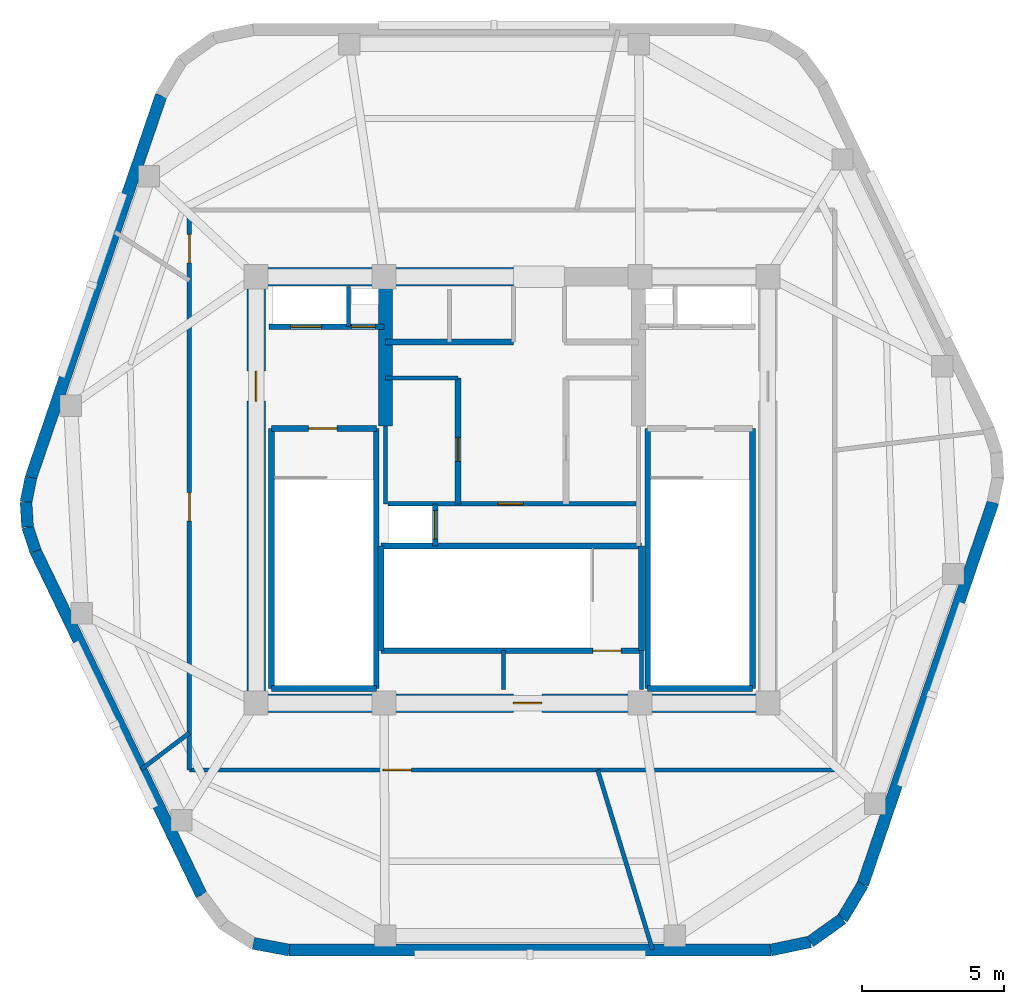
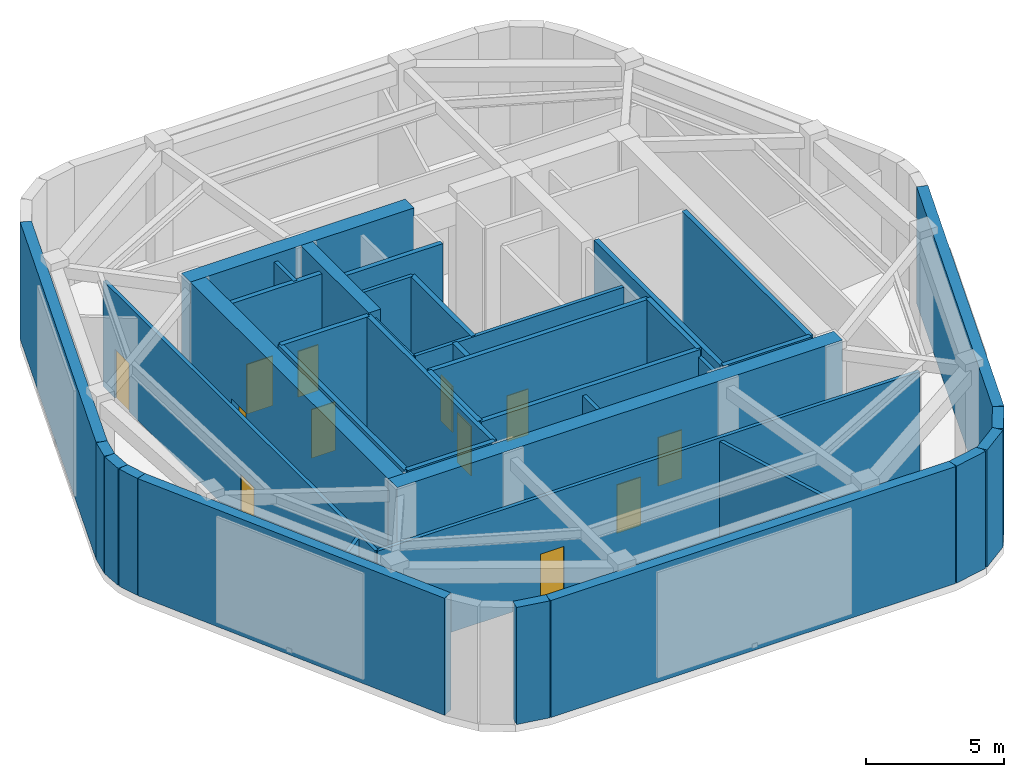
# One storey, part 2 of 4: 40 walls, 12 doors, 12 openings.
"""IFC4 building model written with IfcOpenShell, lengths in metres."""

from ifc_helpers import new_model, si_unit, direction, frame, frame_2d, origin, place, context, subcontext, project, spatial, rectangle, extrude, material, layer, layer_set, type_object, element, fill, save


model = new_model("IFC4")

# Units and contexts
model_context = context("Model", 3, precision=1e-05, world=origin(), true_north=direction((0.0, 1.0)))
body_context = subcontext(model_context, "Body", "Model", "MODEL_VIEW")
ifc_project = project(units=[si_unit("LENGTHUNIT", "METRE"), si_unit("AREAUNIT", "SQUARE_METRE"), si_unit("VOLUMEUNIT", "CUBIC_METRE"), si_unit("PLANEANGLEUNIT", "RADIAN"), si_unit("MASSUNIT", "GRAM", prefix="KILO")], contexts=[model_context])

# Site, building, storey
site_placement = place(None, origin())
site = spatial("IfcSite", under=ifc_project, at=site_placement, CompositionType="ELEMENT")
building_placement = place(site_placement, origin())
building = spatial("IfcBuilding", under=site, at=building_placement, Name="Kilnhurst Terrace Hotel", CompositionType="ELEMENT")
storey_placement = place(building_placement, frame((0.0, 0.0, 315.89990234375)))
storey = spatial("IfcBuildingStorey", under=building, at=storey_placement, Name="L78", CompositionType="ELEMENT", Elevation=315.89990234375)

# Wall, openings, doors
ifc_material_1 = material(Name="Acoustic Double-Gypsum Corridor Partition Assembly")
ifc_layer_1 = layer(ifc_material_1, 0.14990234375, Name="Acoustic Double-Gypsum Corridor Partition Assembly")
ifc_layer_set_1 = layer_set([ifc_layer_1], Name="Acoustic Double-Gypsum Corridor Partition Assembly")
wall_type_1 = type_object("IfcWallType", Name="WL-COR-150", PredefinedType="PARTITIONING", material=ifc_layer_set_1)
wall_1_placement = place(storey_placement, frame((-11.35009765625, -9.85009765625, 0.0), z_axis=(0.0, 0.0, 1.0), x_axis=(0.0, 1.0, 0.0)))
wall_1 = element("IfcWall", 1, at=wall_1_placement, inside=storey, type_object=wall_type_1, Name="L78 Interior Wall WL-L78-COR-01", PredefinedType="PARTITIONING", context=body_context, shape_type="SweptSolid", body=[
    extrude(rectangle(XDim=19.7001953125, YDim=0.14990234375, at=frame_2d((9.85009765625, 0.0))), origin(), (0.0, 0.0, 1.0), 4.670166015625),
])
opening_1_placement = place(wall_1_placement, frame((17.840087890625, 0.0, 0.0)))
opening_1 = element("IfcOpeningElement", 2, at=opening_1_placement, cuts=wall_1, Name="Opening D-90B", PredefinedType="OPENING", context=body_context, shape_type="SweptSolid", body=[
    extrude(rectangle(XDim=1.0, YDim=2.14990234375, at=frame_2d((0.5, 1.074951171875))), frame((0.0, 0.0849609375, 0.0), z_axis=(0.0, -1.0, 0.0), x_axis=(1.0, 0.0, 0.0)), (0.0, 0.0, 1.0), 0.169921875),
])
opening_2_placement = place(wall_1_placement, frame((8.751953125, 0.0, 0.0)))
opening_2 = element("IfcOpeningElement", 3, at=opening_2_placement, cuts=wall_1, Name="Opening D-90B", PredefinedType="OPENING", context=body_context, shape_type="SweptSolid", body=[
    extrude(rectangle(XDim=1.0, YDim=2.14990234375, at=frame_2d((0.5, 1.074951171875))), frame((0.0, 0.0849609375, 0.0), z_axis=(0.0, -1.0, 0.0), x_axis=(1.0, 0.0, 0.0)), (0.0, 0.0, 1.0), 0.169921875),
])
ifc_material_2 = material(Name="Painted Hollow Metal Steel ASTM A36 Fire Door", Category="steel")
door_type_1 = type_object("IfcDoorType", Name="DR-FD90-1000", OperationType="NOTDEFINED", PredefinedType="DOOR", material=ifc_material_2)
door_1_placement = place(opening_1_placement, origin())
door_1 = element("IfcDoor", 4, at=door_1_placement, inside=storey, type_object=door_type_1, Name="L78 Air Handling and Smoke Control Mechanical Room Door", OperationType="SINGLE_SWING_RIGHT", OverallHeight=2.14990234375, OverallWidth=1.0, PredefinedType="DOOR", context=body_context, shape_type="SweptSolid", body=[
    extrude(rectangle(XDim=1.0, YDim=2.14990234375, at=frame_2d((0.5, 1.074951171875))), frame((0.0, 0.02490234375, 0.0), z_axis=(0.0, -1.0, 0.0), x_axis=(1.0, 0.0, 0.0)), (0.0, 0.0, 1.0), 0.050048828125),
])
fill(opening_1, door_1)
door_2_placement = place(opening_2_placement, origin())
door_2 = element("IfcDoor", 5, at=door_2_placement, inside=storey, type_object=door_type_1, Name="L78 Domestic Water Booster and Fire Pump Room Door", OperationType="SINGLE_SWING_LEFT", OverallHeight=2.14990234375, OverallWidth=1.0, PredefinedType="DOOR", context=body_context, shape_type="SweptSolid", body=[
    extrude(rectangle(XDim=1.0, YDim=2.14990234375, at=frame_2d((0.5, 1.074951171875))), frame((0.0, 0.02490234375, 0.0), z_axis=(0.0, -1.0, 0.0), x_axis=(1.0, 0.0, 0.0)), (0.0, 0.0, 1.0), 0.050048828125),
])
fill(opening_2, door_2)

# Wall, opening, door
wall_2_placement = place(storey_placement, frame((11.35009765625, -9.85009765625, 0.0), z_axis=(0.0, 0.0, 1.0), x_axis=(-1.0, 0.0, 0.0)))
wall_2 = element("IfcWall", 6, at=wall_2_placement, inside=storey, type_object=wall_type_1, Name="L78 Interior Wall WL-L78-COR-04", PredefinedType="PARTITIONING", context=body_context, shape_type="SweptSolid", body=[
    extrude(rectangle(XDim=22.7001953125, YDim=0.14990234375, at=frame_2d((11.35009765625, 0.0))), origin(), (0.0, 0.0, 1.0), 4.670166015625),
])
opening_3_placement = place(wall_2_placement, frame((14.89404296875, 0.0, 0.0)))
opening_3 = element("IfcOpeningElement", 7, at=opening_3_placement, cuts=wall_2, Name="Opening D-90B", PredefinedType="OPENING", context=body_context, shape_type="SweptSolid", body=[
    extrude(rectangle(XDim=1.0, YDim=2.14990234375, at=frame_2d((0.5, 1.074951171875))), frame((0.0, 0.0849609375, 0.0), z_axis=(0.0, -1.0, 0.0), x_axis=(1.0, 0.0, 0.0)), (0.0, 0.0, 1.0), 0.169921875),
])
door_3_placement = place(opening_3_placement, origin())
door_3 = element("IfcDoor", 8, at=door_3_placement, inside=storey, type_object=door_type_1, Name="L78 High Rise Electrical Switchgear and Transformer Room Door", OperationType="SINGLE_SWING_RIGHT", OverallHeight=2.14990234375, OverallWidth=1.0, PredefinedType="DOOR", context=body_context, shape_type="SweptSolid", body=[
    extrude(rectangle(XDim=1.0, YDim=2.14990234375, at=frame_2d((0.5, 1.074951171875))), frame((0.0, 0.02490234375, 0.0), z_axis=(0.0, -1.0, 0.0), x_axis=(1.0, 0.0, 0.0)), (0.0, 0.0, 1.0), 0.050048828125),
])
fill(opening_3, door_3)

# Walls
wall_3_placement = place(storey_placement, frame((-11.35009765625, -8.552734375, 0.0), z_axis=(0.0, 0.0, 1.0), x_axis=(-0.798587297605, -0.601878997892, 0.0)))
element("IfcWall", 9, at=wall_3_placement, inside=storey, type_object=wall_type_1, Name="L78 Interior Wall WL-L78-PDIV-4-1", PredefinedType="PARTITIONING", context=body_context, shape_type="SweptSolid", body=[
    extrude(rectangle(XDim=2.11865234375, YDim=0.14990234375, at=frame_2d((1.059326171875, 0.0))), origin(), (0.0, 0.0, 1.0), 4.52001953125),
])
wall_4_placement = place(storey_placement, frame((3.011474609375, -9.85009765625, 0.0), z_axis=(0.0, 0.0, 1.0), x_axis=(0.292386397132, -0.956300263919, 0.0)))
element("IfcWall", 10, at=wall_4_placement, inside=storey, type_object=wall_type_1, Name="L78 Interior Wall WL-L78-PDIV-5-1", PredefinedType="PARTITIONING", context=body_context, shape_type="SweptSolid", body=[
    extrude(rectangle(XDim=6.614013671875, YDim=0.14990234375, at=frame_2d((3.30712890625, 0.0))), origin(), (0.0, 0.0, 1.0), 4.52001953125),
])

# Wall, opening, door
ifc_material_3 = material(Name="Concrete C60/75", Category="concrete")
ifc_layer_2 = layer(ifc_material_3, 0.64990234375, Name="Concrete C60/75")
ifc_layer_set_2 = layer_set([ifc_layer_2], Name="Concrete C60/75")
wall_type_2 = type_object("IfcWallType", Name="WL-CORE-650", PredefinedType="SHEAR", material=ifc_layer_set_2)
wall_5_placement = place(storey_placement, frame((-9.324951171875, -7.5, 0.0), z_axis=(0.0, 0.0, 1.0), x_axis=(1.0, 0.0, 0.0)))
wall_5 = element("IfcWall", 11, at=wall_5_placement, inside=storey, type_object=wall_type_2, Name="L78 Core South Shear Wall", PredefinedType="SHEAR", context=body_context, shape_type="SweptSolid", body=[
    extrude(rectangle(XDim=18.64990234375, YDim=0.64990234375, at=frame_2d((9.324951171875, 0.0))), origin(), (0.0, 0.0, 1.0), 5.5),
])
opening_4_placement = place(wall_5_placement, frame((9.375, 0.0, 0.0)))
opening_4 = element("IfcOpeningElement", 12, at=opening_4_placement, cuts=wall_5, Name="Opening D-90B", PredefinedType="OPENING", context=body_context, shape_type="SweptSolid", body=[
    extrude(rectangle(XDim=1.0, YDim=2.14990234375, at=frame_2d((0.5, 1.074951171875))), frame((0.0, 0.3349609375, 0.0), z_axis=(0.0, -1.0, 0.0), x_axis=(1.0, 0.0, 0.0)), (0.0, 0.0, 1.0), 0.669921875),
])
door_4_placement = place(opening_4_placement, origin())
door_4 = element("IfcDoor", 13, at=door_4_placement, inside=storey, type_object=door_type_1, Name="L78 Stair ST-3 Corridor Door", OperationType="SINGLE_SWING_RIGHT", OverallHeight=2.14990234375, OverallWidth=1.0, PredefinedType="DOOR", context=body_context, shape_type="SweptSolid", body=[
    extrude(rectangle(XDim=1.0, YDim=2.14990234375, at=frame_2d((0.5, 1.074951171875))), frame((0.0, 0.02490234375, 0.0), z_axis=(0.0, -1.0, 0.0), x_axis=(1.0, 0.0, 0.0)), (0.0, 0.0, 1.0), 0.050048828125),
])
fill(opening_4, door_4)

# Wall
wall_6_placement = place(storey_placement, frame((-9.324951171875, 7.5, 0.0), z_axis=(0.0, 0.0, 1.0), x_axis=(1.0, 0.0, 0.0)))
element("IfcWall", 14, at=wall_6_placement, inside=storey, type_object=wall_type_2, Name="L78 Core North West Shear Wall", PredefinedType="SHEAR", context=body_context, shape_type="SweptSolid", body=[
    extrude(rectangle(XDim=9.375, YDim=0.64990234375, at=frame_2d((4.6875, 0.0))), origin(), (0.0, 0.0, 1.0), 5.5),
])

# Wall, opening, door
wall_7_placement = place(storey_placement, frame((-9.0, -7.175048828125, 0.0), z_axis=(0.0, 0.0, 1.0), x_axis=(0.0, 1.0, 0.0)))
wall_7 = element("IfcWall", 15, at=wall_7_placement, inside=storey, type_object=wall_type_2, Name="L78 Core West Shear Wall", PredefinedType="SHEAR", context=body_context, shape_type="SweptSolid", body=[
    extrude(rectangle(XDim=14.35009765625, YDim=0.64990234375, at=frame_2d((7.175048828125, 0.0))), origin(), (0.0, 0.0, 1.0), 5.5),
])
opening_5_placement = place(wall_7_placement, frame((10.300048828125, 0.0, 0.0)))
opening_5 = element("IfcOpeningElement", 16, at=opening_5_placement, cuts=wall_7, Name="Opening D-90A", PredefinedType="OPENING", context=body_context, shape_type="SweptSolid", body=[
    extrude(rectangle(XDim=1.050048828125, YDim=2.14990234375, at=frame_2d((0.52490234375, 1.074951171875))), frame((0.0, 0.3349609375, 0.0), z_axis=(0.0, -1.0, 0.0), x_axis=(1.0, 0.0, 0.0)), (0.0, 0.0, 1.0), 0.669921875),
])
door_type_2 = type_object("IfcDoorType", Name="DR-FD90-1050", OperationType="NOTDEFINED", PredefinedType="DOOR", material=ifc_material_2)
door_5_placement = place(opening_5_placement, origin())
door_5 = element("IfcDoor", 17, at=door_5_placement, inside=storey, type_object=door_type_2, Name="L78 West Firefighting Lobby Door", OperationType="SINGLE_SWING_RIGHT", OverallHeight=2.14990234375, OverallWidth=1.050048828125, PredefinedType="DOOR", context=body_context, shape_type="SweptSolid", body=[
    extrude(rectangle(XDim=1.050048828125, YDim=2.14990234375, at=frame_2d((0.52490234375, 1.074951171875))), frame((0.0, 0.02490234375, 0.0), z_axis=(0.0, -1.0, 0.0), x_axis=(1.0, 0.0, 0.0)), (0.0, 0.0, 1.0), 0.050048828125),
])
fill(opening_5, door_5)

# Walls
ifc_layer_3 = layer(ifc_material_3, 0.5, Name="Concrete C60/75")
ifc_layer_set_3 = layer_set([ifc_layer_3], Name="Concrete C60/75")
wall_type_3 = type_object("IfcWallType", Name="WL-CORE-WEB-500", PredefinedType="SHEAR", material=ifc_layer_set_3)
wall_8_placement = place(storey_placement, frame((-4.449951171875, 2.25, 0.0), z_axis=(0.0, 0.0, 1.0), x_axis=(0.0, 1.0, 0.0)))
element("IfcWall", 18, at=wall_8_placement, inside=storey, type_object=wall_type_3, Name="L78 Core Internal West Shear Web", PredefinedType="SHEAR", context=body_context, shape_type="SweptSolid", body=[
    extrude(rectangle(XDim=4.925048828125, YDim=0.5, at=frame_2d((2.46240234375, 0.0))), origin(), (0.0, 0.0, 1.0), 5.5),
])
ifc_material_4 = material(Name="Precast concrete C40/50", Category="concrete")
ifc_layer_4 = layer(ifc_material_4, 0.419921875, Name="Precast concrete C40/50")
ifc_layer_set_4 = layer_set([ifc_layer_4], Name="Precast concrete C40/50")
wall_type_4 = type_object("IfcWallType", Name="WL-CRN-420", PredefinedType="SOLIDWALL", material=ifc_layer_set_4)
wall_9_placement = place(storey_placement, frame((-9.096435546875, -15.952392578125, 0.0), z_axis=(0.0, 0.0, 1.0), x_axis=(0.982583442004, -0.185821902637, 0.0)))
element("IfcWall", 19, at=wall_9_placement, inside=storey, type_object=wall_type_4, Name="L78 Rounded Corner Brick Wall C1.3", PredefinedType="SOLIDWALL", context=body_context, shape_type="SweptSolid", body=[
    extrude(rectangle(XDim=1.2783203125, YDim=0.419921875, at=frame_2d((0.63916015625, 0.0))), origin(), (0.0, 0.0, 1.0), 5.18017578125),
])
wall_10_placement = place(storey_placement, frame((9.105712890625, -16.18994140625, 0.0), z_axis=(0.0, 0.0, 1.0), x_axis=(0.978670507127, 0.205436215114, 0.0)))
element("IfcWall", 20, at=wall_10_placement, inside=storey, type_object=wall_type_4, Name="L78 Rounded Corner Brick Wall C2.1", PredefinedType="SOLIDWALL", context=body_context, shape_type="SweptSolid", body=[
    extrude(rectangle(XDim=1.414306640625, YDim=0.419921875, at=frame_2d((0.70703125, 0.0))), origin(), (0.0, 0.0, 1.0), 5.18017578125),
])
wall_11_placement = place(storey_placement, frame((10.48974609375, -15.8994140625, 0.0), z_axis=(0.0, 0.0, 1.0), x_axis=(0.813104912719, 0.58211717112, 0.0)))
element("IfcWall", 21, at=wall_11_placement, inside=storey, type_object=wall_type_4, Name="L78 Rounded Corner Brick Wall C2.2", PredefinedType="SOLIDWALL", context=body_context, shape_type="SweptSolid", body=[
    extrude(rectangle(XDim=1.39208984375, YDim=0.419921875, at=frame_2d((0.696044921875, 0.0))), origin(), (0.0, 0.0, 1.0), 5.18017578125),
])
wall_12_placement = place(storey_placement, frame((11.62158203125, -15.089111328125, 0.0), z_axis=(0.0, 0.0, 1.0), x_axis=(0.510403153597, 0.859935242212, 0.0)))
element("IfcWall", 22, at=wall_12_placement, inside=storey, type_object=wall_type_4, Name="L78 Rounded Corner Brick Wall C2.3", PredefinedType="SOLIDWALL", context=body_context, shape_type="SweptSolid", body=[
    extrude(rectangle(XDim=1.414306640625, YDim=0.419921875, at=frame_2d((0.70703125, 0.0))), origin(), (0.0, 0.0, 1.0), 5.18017578125),
])
wall_13_placement = place(storey_placement, frame((-16.9208984375, 0.440185546875, 0.0), z_axis=(0.0, 0.0, 1.0), x_axis=(-0.197170749138, -0.980369162961, 0.0)))
element("IfcWall", 23, at=wall_13_placement, inside=storey, type_object=wall_type_4, Name="L78 Rounded Corner Brick Wall C6.1", PredefinedType="SOLIDWALL", context=body_context, shape_type="SweptSolid", body=[
    extrude(rectangle(XDim=0.890380859375, YDim=0.419921875, at=frame_2d((0.4453125, 0.0))), origin(), (0.0, 0.0, 1.0), 5.18017578125),
])
wall_14_placement = place(storey_placement, frame((-17.096435546875, -0.4326171875, 0.0), z_axis=(0.0, 0.0, 1.0), x_axis=(0.060469820114, -0.998170026025, 0.0)))
element("IfcWall", 24, at=wall_14_placement, inside=storey, type_object=wall_type_4, Name="L78 Rounded Corner Brick Wall C6.2", PredefinedType="SOLIDWALL", context=body_context, shape_type="SweptSolid", body=[
    extrude(rectangle(XDim=0.876220703125, YDim=0.419921875, at=frame_2d((0.43798828125, 0.0))), origin(), (0.0, 0.0, 1.0), 5.18017578125),
])
wall_15_placement = place(storey_placement, frame((-17.04345703125, -1.30712890625, 0.0), z_axis=(0.0, 0.0, 1.0), x_axis=(0.314581701602, -0.949230400386, 0.0)))
element("IfcWall", 25, at=wall_15_placement, inside=storey, type_object=wall_type_4, Name="L78 Rounded Corner Brick Wall C6.3", PredefinedType="SOLIDWALL", context=body_context, shape_type="SweptSolid", body=[
    extrude(rectangle(XDim=0.89013671875, YDim=0.419921875, at=frame_2d((0.445068359375, 0.0))), origin(), (0.0, 0.0, 1.0), 5.18017578125),
])
wall_16_placement = place(storey_placement, frame((-7.84033203125, -16.18994140625, 0.0), z_axis=(0.0, 0.0, 1.0), x_axis=(1.0, 0.0, 0.0)))
element("IfcWall", 26, at=wall_16_placement, inside=storey, type_object=wall_type_4, Name="L78 Exterior Brick Facade Wall F1", PredefinedType="SOLIDWALL", context=body_context, shape_type="SweptSolid", body=[
    extrude(rectangle(XDim=16.946044921875, YDim=0.419921875, at=frame_2d((8.47314453125, 0.0))), origin(), (0.0, 0.0, 1.0), 5.18017578125),
])
for number, where, z_axis, x_axis, name in (
    (27, (12.343505859375, -13.872802734375, 0.0), (0.0, 0.0, 1.0), (0.322553427155, 0.946551259378, 0.0), "L78 Exterior Brick Facade Wall F2"),
    (28, (-12.343505859375, 13.872802734375, 0.0), (0.0, 0.0, 1.0), (-0.322553427155, -0.946551259378, 0.0), "L78 Exterior Brick Facade Wall F5"),
):
    element("IfcWall", number, at=place(storey_placement, frame(where, z_axis=z_axis, x_axis=x_axis)), inside=storey, type_object=wall_type_4, Name=name, PredefinedType="SOLIDWALL", context=body_context, shape_type="SweptSolid", body=[
        extrude(rectangle(XDim=14.191162109375, YDim=0.419921875, at=frame_2d((7.095703125, 0.0))), origin(), (0.0, 0.0, 1.0), 5.18017578125),
    ])
wall_17_placement = place(storey_placement, frame((-16.763427734375, -2.152099609375, 0.0), z_axis=(0.0, 0.0, 1.0), x_axis=(0.434664735238, -0.900592342817, 0.0)))
element("IfcWall", 29, at=wall_17_placement, inside=storey, type_object=wall_type_4, Name="L78 Exterior Brick Facade Wall F6", PredefinedType="SOLIDWALL", context=body_context, shape_type="SweptSolid", body=[
    extrude(rectangle(XDim=13.439697265625, YDim=0.419921875, at=frame_2d((6.7197265625, 0.0))), origin(), (0.0, 0.0, 1.0), 5.18017578125),
])
ifc_material_5 = material(Name="Fire-Rated Gypsum Shaftliner Assembly")
ifc_layer_5 = layer(ifc_material_5, 0.14990234375, Name="Fire-Rated Gypsum Shaftliner Assembly")
ifc_layer_set_5 = layer_set([ifc_layer_5], Name="Fire-Rated Gypsum Shaftliner Assembly")
wall_type_5 = type_object("IfcWallType", Name="WL-SHAFT-150", PredefinedType="PARTITIONING", material=ifc_layer_set_5)
for number, where, z_axis, x_axis, name in (
    (30, (-0.300048828125, -7.02001953125, 0.0), (0.0, 0.0, 1.0), (0.0, 1.0, 0.0), "L78 Interior Wall WL-L78-ST3-PSGW"),
    (31, (4.55810546875, -7.02001953125, 0.0), (0.0, 0.0, 1.0), (0.0, 1.0, 0.0), "L78 Interior Wall WL-L78-ST3-PSGE"),
):
    element("IfcWall", number, at=place(storey_placement, frame(where, z_axis=z_axis, x_axis=x_axis)), inside=storey, type_object=wall_type_5, Name=name, PredefinedType="PARTITIONING", context=body_context, shape_type="SweptSolid", body=[
        extrude(rectangle(XDim=1.362060546875, YDim=0.14990234375, at=frame_2d((0.68115234375, 0.0))), origin(), (0.0, 0.0, 1.0), 5.18017578125),
    ])
wall_18_placement = place(storey_placement, frame((-5.75, 5.739990234375, 0.0), z_axis=(0.0, 0.0, 1.0), x_axis=(0.0, 1.0, 0.0)))
element("IfcWall", 32, at=wall_18_placement, inside=storey, type_object=wall_type_5, Name="L78 Interior Wall WL-L78-RIS1-DIV", PredefinedType="PARTITIONING", context=body_context, shape_type="SweptSolid", body=[
    extrude(rectangle(XDim=1.409912109375, YDim=0.14990234375, at=frame_2d((0.705078125, 0.0))), origin(), (0.0, 0.0, 1.0), 5.18017578125),
])
wall_19_placement = place(storey_placement, frame((-4.449951171875, -0.5, 0.0), z_axis=(0.0, 0.0, 1.0), x_axis=(0.0, 1.0, 0.0)))
element("IfcWall", 33, at=wall_19_placement, inside=storey, type_object=wall_type_5, Name="L78 Interior Wall WL-L78-XLOB-W", PredefinedType="PARTITIONING", context=body_context, shape_type="SweptSolid", body=[
    extrude(rectangle(XDim=2.75, YDim=0.14990234375, at=frame_2d((1.375, 0.0))), origin(), (0.0, 0.0, 1.0), 5.18017578125),
])
wall_20_placement = place(storey_placement, frame((-4.449951171875, 3.93994140625, 0.0), z_axis=(0.0, 0.0, 1.0), x_axis=(1.0, 0.0, 0.0)))
element("IfcWall", 34, at=wall_20_placement, inside=storey, type_object=wall_type_5, Name="L78 Interior Wall WL-L78-LR-NORTH", PredefinedType="PARTITIONING", context=body_context, shape_type="SweptSolid", body=[
    extrude(rectangle(XDim=2.550048828125, YDim=0.14990234375, at=frame_2d((1.27490234375, 0.0))), origin(), (0.0, 0.0, 1.0), 5.18017578125),
])

# Wall, opening, door
wall_21_placement = place(storey_placement, frame((-4.360107421875, -0.489990234375, 0.0), z_axis=(0.0, 0.0, 1.0), x_axis=(1.0, 0.0, 0.0)))
wall_21 = element("IfcWall", 35, at=wall_21_placement, inside=storey, type_object=wall_type_5, Name="L78 Interior Wall WL-L78-BOH-N", PredefinedType="PARTITIONING", context=body_context, shape_type="SweptSolid", body=[
    extrude(rectangle(XDim=8.72021484375, YDim=0.14990234375, at=frame_2d((4.360107421875, 0.0))), origin(), (0.0, 0.0, 1.0), 5.18017578125),
])
opening_6_placement = place(wall_21_placement, frame((3.860107421875, 0.0, 0.0)))
opening_6 = element("IfcOpeningElement", 36, at=opening_6_placement, cuts=wall_21, Name="Opening D-60C", PredefinedType="OPENING", context=body_context, shape_type="SweptSolid", body=[
    extrude(rectangle(XDim=0.89990234375, YDim=2.030029296875, at=frame_2d((0.449951171875, 1.01513671875))), frame((0.0, 0.0849609375, 0.0), z_axis=(0.0, -1.0, 0.0), x_axis=(1.0, 0.0, 0.0)), (0.0, 0.0, 1.0), 0.169921875),
])
ifc_material_6 = material(Name="Painted Solid-Core Service Fire Door")
door_type_3 = type_object("IfcDoorType", Name="DR-FD60-900", OperationType="NOTDEFINED", PredefinedType="DOOR", material=ifc_material_6)
door_6_placement = place(opening_6_placement, origin())
door_6 = element("IfcDoor", 37, at=door_6_placement, inside=storey, type_object=door_type_3, Name="L78 Housekeeping Laundry Door", OperationType="SINGLE_SWING_LEFT", OverallHeight=2.030029296875, OverallWidth=0.89990234375, PredefinedType="DOOR", context=body_context, shape_type="SweptSolid", body=[
    extrude(rectangle(XDim=0.89990234375, YDim=2.030029296875, at=frame_2d((0.449951171875, 1.01513671875))), frame((0.0, 0.02490234375, 0.0), z_axis=(0.0, -1.0, 0.0), x_axis=(1.0, 0.0, 0.0)), (0.0, 0.0, 1.0), 0.050048828125),
])
fill(opening_6, door_6)

# Wall, openings, doors
ifc_material_7 = material(Name="Autoclaved Aerated Concrete C30/37 and Gypsum Shaft Assembly", Category="concrete")
ifc_layer_6 = layer(ifc_material_7, 0.199951171875, Name="Autoclaved Aerated Concrete C30/37 and Gypsum Shaft Assembly")
ifc_layer_set_6 = layer_set([ifc_layer_6], Name="Autoclaved Aerated Concrete C30/37 and Gypsum Shaft Assembly")
wall_type_6 = type_object("IfcWallType", Name="WL-SHAFT-200", PredefinedType="PARTITIONING", material=ifc_layer_set_6)
wall_22_placement = place(storey_placement, frame((-8.550048828125, 5.739990234375, 0.0), z_axis=(0.0, 0.0, 1.0), x_axis=(1.0, 0.0, 0.0)))
wall_22 = element("IfcWall", 38, at=wall_22_placement, inside=storey, type_object=wall_type_6, Name="L78 Interior Wall WL-L78-FSAE1-S", PredefinedType="PARTITIONING", context=body_context, shape_type="SweptSolid", body=[
    extrude(rectangle(XDim=4.050048828125, YDim=0.199951171875, at=frame_2d((2.02490234375, 0.0))), origin(), (0.0, 0.0, 1.0), 5.18017578125),
])
opening_7_placement = place(wall_22_placement, frame((0.75, 0.0, 0.0)))
opening_7 = element("IfcOpeningElement", 39, at=opening_7_placement, cuts=wall_22, Name="Opening LD-F1", PredefinedType="OPENING", context=body_context, shape_type="SweptSolid", body=[
    extrude(rectangle(XDim=1.10009765625, YDim=2.199951171875, at=frame_2d((0.550048828125, 1.10009765625))), frame((0.0, 0.10986328125, 0.0), z_axis=(0.0, -1.0, 0.0), x_axis=(1.0, 0.0, 0.0)), (0.0, 0.0, 1.0), 0.219970703125),
])
opening_8_placement = place(wall_22_placement, frame((2.89990234375, 0.0, 0.0)))
opening_8 = element("IfcOpeningElement", 40, at=opening_8_placement, cuts=wall_22, Name="Opening D-60D", PredefinedType="OPENING", context=body_context, shape_type="SweptSolid", body=[
    extrude(rectangle(XDim=0.85009765625, YDim=2.030029296875, at=frame_2d((0.425048828125, 1.01513671875))), frame((0.0, 0.10986328125, 0.0), z_axis=(0.0, -1.0, 0.0), x_axis=(1.0, 0.0, 0.0)), (0.0, 0.0, 1.0), 0.219970703125),
])
ifc_material_8 = material(Name="Painted Hollow Metal Steel ASTM A36 Riser Door", Category="steel")
door_type_4 = type_object("IfcDoorType", Name="DR-FD60-850", OperationType="NOTDEFINED", PredefinedType="DOOR", material=ifc_material_8)
door_7_placement = place(opening_8_placement, origin())
door_7 = element("IfcDoor", 41, at=door_7_placement, inside=storey, type_object=door_type_4, Name="L78 Electrical Riser Door", OperationType="SINGLE_SWING_LEFT", OverallHeight=2.030029296875, OverallWidth=0.85009765625, PredefinedType="DOOR", context=body_context, shape_type="SweptSolid", body=[
    extrude(rectangle(XDim=0.85009765625, YDim=2.030029296875, at=frame_2d((0.425048828125, 1.01513671875))), frame((0.0, 0.02490234375, 0.0), z_axis=(0.0, -1.0, 0.0), x_axis=(1.0, 0.0, 0.0)), (0.0, 0.0, 1.0), 0.050048828125),
])
fill(opening_8, door_7)
ifc_material_9 = material(Name="Bronze-Anodized Stainless Steel AISI 316L Sliding Door", Category="steel")
door_type_5 = type_object("IfcDoorType", Name="DR-LIFT-1100", OperationType="NOTDEFINED", PredefinedType="DOOR", material=ifc_material_9)
door_8_placement = place(opening_7_placement, origin())
door_8 = element("IfcDoor", 42, at=door_8_placement, inside=storey, type_object=door_type_5, Name="L78 FSAE-1 Landing Door", OperationType="SLIDING_TO_LEFT", OverallHeight=2.199951171875, OverallWidth=1.10009765625, PredefinedType="DOOR", context=body_context, shape_type="SweptSolid", body=[
    extrude(rectangle(XDim=1.10009765625, YDim=2.199951171875, at=frame_2d((0.550048828125, 1.10009765625))), frame((0.0, 0.02490234375, 0.0), z_axis=(0.0, -1.0, 0.0), x_axis=(1.0, 0.0, 0.0)), (0.0, 0.0, 1.0), 0.050048828125),
])
fill(opening_7, door_8)

# Wall, opening, door
wall_23_placement = place(storey_placement, frame((-2.699951171875, -1.971923828125, 0.0), z_axis=(0.0, 0.0, 1.0), x_axis=(0.0, 1.0, 0.0)))
wall_23 = element("IfcWall", 43, at=wall_23_placement, inside=storey, type_object=wall_type_6, Name="L78 Interior Wall WL-L78-SRV1-E", PredefinedType="PARTITIONING", context=body_context, shape_type="SweptSolid", body=[
    extrude(rectangle(XDim=1.471923828125, YDim=0.199951171875, at=frame_2d((0.73583984375, 0.0))), origin(), (0.0, 0.0, 1.0), 5.18017578125),
])
opening_9_placement = place(wall_23_placement, frame((0.239990234375, 0.0, 0.0)))
opening_9 = element("IfcOpeningElement", 44, at=opening_9_placement, cuts=wall_23, Name="Opening LD-SV", PredefinedType="OPENING", context=body_context, shape_type="SweptSolid", body=[
    extrude(rectangle(XDim=1.0, YDim=2.199951171875, at=frame_2d((0.5, 1.10009765625))), frame((0.0, 0.10986328125, 0.0), z_axis=(0.0, -1.0, 0.0), x_axis=(1.0, 0.0, 0.0)), (0.0, 0.0, 1.0), 0.219970703125),
])
door_type_6 = type_object("IfcDoorType", Name="DR-LIFT-1000", OperationType="NOTDEFINED", PredefinedType="DOOR", material=ifc_material_9)
door_9_placement = place(opening_9_placement, origin())
door_9 = element("IfcDoor", 45, at=door_9_placement, inside=storey, type_object=door_type_6, Name="L78 Service Lift SRV-1 Landing Door", OperationType="SLIDING_TO_LEFT", OverallHeight=2.199951171875, OverallWidth=1.0, PredefinedType="DOOR", context=body_context, shape_type="SweptSolid", body=[
    extrude(rectangle(XDim=1.0, YDim=2.199951171875, at=frame_2d((0.5, 1.10009765625))), frame((0.0, 0.02490234375, 0.0), z_axis=(0.0, -1.0, 0.0), x_axis=(1.0, 0.0, 0.0)), (0.0, 0.0, 1.0), 0.050048828125),
])
fill(opening_9, door_9)

# Wall
wall_24_placement = place(storey_placement, frame((-4.449951171875, 5.199951171875, 0.0), z_axis=(0.0, 0.0, 1.0), x_axis=(1.0, 0.0, 0.0)))
element("IfcWall", 46, at=wall_24_placement, inside=storey, type_object=wall_type_6, Name="L78 Interior Wall WL-L78-HR-SW", PredefinedType="PARTITIONING", context=body_context, shape_type="SweptSolid", body=[
    extrude(rectangle(XDim=4.5, YDim=0.199951171875, at=frame_2d((2.25, 0.0))), origin(), (0.0, 0.0, 1.0), 5.18017578125),
])

# Wall, opening, door
wall_25_placement = place(storey_placement, frame((-1.89990234375, -0.5, 0.0), z_axis=(0.0, 0.0, 1.0), x_axis=(0.0, 1.0, 0.0)))
wall_25 = element("IfcWall", 47, at=wall_25_placement, inside=storey, type_object=wall_type_6, Name="L78 Interior Wall WL-L78-LR-FRONT", PredefinedType="PARTITIONING", context=body_context, shape_type="SweptSolid", body=[
    extrude(rectangle(XDim=4.43994140625, YDim=0.199951171875, at=frame_2d((2.219970703125, 0.0))), origin(), (0.0, 0.0, 1.0), 5.18017578125),
])
opening_10_placement = place(wall_25_placement, frame((1.5, 0.0, 0.0)))
opening_10 = element("IfcOpeningElement", 48, at=opening_10_placement, cuts=wall_25, Name="Opening D-60D", PredefinedType="OPENING", context=body_context, shape_type="SweptSolid", body=[
    extrude(rectangle(XDim=0.85009765625, YDim=2.030029296875, at=frame_2d((0.425048828125, 1.01513671875))), frame((0.0, 0.10986328125, 0.0), z_axis=(0.0, -1.0, 0.0), x_axis=(1.0, 0.0, 0.0)), (0.0, 0.0, 1.0), 0.219970703125),
])
door_10_placement = place(opening_10_placement, origin())
door_10 = element("IfcDoor", 49, at=door_10_placement, inside=storey, type_object=door_type_4, Name="L78 Reclaimed Linen Room Door", OperationType="SINGLE_SWING_LEFT", OverallHeight=2.030029296875, OverallWidth=0.85009765625, PredefinedType="DOOR", context=body_context, shape_type="SweptSolid", body=[
    extrude(rectangle(XDim=0.85009765625, YDim=2.030029296875, at=frame_2d((0.425048828125, 1.01513671875))), frame((0.0, 0.02490234375, 0.0), z_axis=(0.0, -1.0, 0.0), x_axis=(1.0, 0.0, 0.0)), (0.0, 0.0, 1.0), 0.050048828125),
])
fill(opening_10, door_10)

# Walls
ifc_material_10 = material(Name="Concrete C50/60", Category="concrete")
ifc_layer_7 = layer(ifc_material_10, 0.199951171875, Name="Concrete C50/60")
ifc_layer_set_7 = layer_set([ifc_layer_7], Name="Concrete C50/60")
wall_type_7 = type_object("IfcWallType", Name="WL-STAIR-RC-200", PredefinedType="SHEAR", material=ifc_layer_set_7)
for number, where, z_axis, x_axis, name in (
    (50, (-8.4580078125, -6.985107421875, 0.0), (0.0, 0.0, 1.0), (0.0, 1.0, 0.0), "L78 Structural Stair Shaft Wall WL-L78-ST1-W"),
    (51, (-4.77197265625, -6.985107421875, 0.0), (0.0, 0.0, 1.0), (0.0, 1.0, 0.0), "L78 Structural Stair Shaft Wall WL-L78-ST1-E"),
):
    element("IfcWall", number, at=place(storey_placement, frame(where, z_axis=z_axis, x_axis=x_axis)), inside=storey, type_object=wall_type_7, Name=name, PredefinedType="SHEAR", context=body_context, shape_type="SweptSolid", body=[
        extrude(rectangle(XDim=9.14306640625, YDim=0.199951171875, at=frame_2d((4.571533203125, 0.0))), origin(), (0.0, 0.0, 1.0), 5.5),
    ])
wall_26_placement = place(storey_placement, frame((-8.4580078125, -6.985107421875, 0.0), z_axis=(0.0, 0.0, 1.0), x_axis=(1.0, 0.0, 0.0)))
element("IfcWall", 52, at=wall_26_placement, inside=storey, type_object=wall_type_7, Name="L78 Structural Stair Shaft Wall WL-L78-ST1-S", PredefinedType="SHEAR", context=body_context, shape_type="SweptSolid", body=[
    extrude(rectangle(XDim=3.68603515625, YDim=0.199951171875, at=frame_2d((1.843017578125, 0.0))), origin(), (0.0, 0.0, 1.0), 5.5),
])

# Wall, opening, door
wall_27_placement = place(storey_placement, frame((-8.4580078125, 2.157958984375, 0.0), z_axis=(0.0, 0.0, 1.0), x_axis=(1.0, 0.0, 0.0)))
wall_27 = element("IfcWall", 53, at=wall_27_placement, inside=storey, type_object=wall_type_7, Name="L78 Structural Stair Shaft Wall WL-L78-ST1-N", PredefinedType="SHEAR", context=body_context, shape_type="SweptSolid", body=[
    extrude(rectangle(XDim=3.68603515625, YDim=0.199951171875, at=frame_2d((1.843017578125, 0.0))), origin(), (0.0, 0.0, 1.0), 5.5),
])
opening_11_placement = place(wall_27_placement, frame((1.300048828125, 0.0, 0.0)))
opening_11 = element("IfcOpeningElement", 54, at=opening_11_placement, cuts=wall_27, Name="Opening D-90B", PredefinedType="OPENING", context=body_context, shape_type="SweptSolid", body=[
    extrude(rectangle(XDim=1.0, YDim=2.14990234375, at=frame_2d((0.5, 1.074951171875))), frame((0.0, 0.10986328125, 0.0), z_axis=(0.0, -1.0, 0.0), x_axis=(1.0, 0.0, 0.0)), (0.0, 0.0, 1.0), 0.219970703125),
])
door_11_placement = place(opening_11_placement, origin())
door_11 = element("IfcDoor", 55, at=door_11_placement, inside=storey, type_object=door_type_1, Name="L78 Stair ST-1 Door", OperationType="SINGLE_SWING_LEFT", OverallHeight=2.14990234375, OverallWidth=1.0, PredefinedType="DOOR", context=body_context, shape_type="SweptSolid", body=[
    extrude(rectangle(XDim=1.0, YDim=2.14990234375, at=frame_2d((0.5, 1.074951171875))), frame((0.0, 0.02490234375, 0.0), z_axis=(0.0, -1.0, 0.0), x_axis=(1.0, 0.0, 0.0)), (0.0, 0.0, 1.0), 0.050048828125),
])
fill(opening_11, door_11)

# Walls
for number, where, z_axis, x_axis, name in (
    (56, (4.77197265625, -6.985107421875, 0.0), (0.0, 0.0, 1.0), (0.0, 1.0, 0.0), "L78 Structural Stair Shaft Wall WL-L78-ST2-W"),
    (57, (8.4580078125, -6.985107421875, 0.0), (0.0, 0.0, 1.0), (0.0, 1.0, 0.0), "L78 Structural Stair Shaft Wall WL-L78-ST2-E"),
):
    element("IfcWall", number, at=place(storey_placement, frame(where, z_axis=z_axis, x_axis=x_axis)), inside=storey, type_object=wall_type_7, Name=name, PredefinedType="SHEAR", context=body_context, shape_type="SweptSolid", body=[
        extrude(rectangle(XDim=9.14306640625, YDim=0.199951171875, at=frame_2d((4.571533203125, 0.0))), origin(), (0.0, 0.0, 1.0), 5.5),
    ])
for number, where, z_axis, x_axis, name in (
    (58, (4.77197265625, -6.985107421875, 0.0), (0.0, 0.0, 1.0), (1.0, 0.0, 0.0), "L78 Structural Stair Shaft Wall WL-L78-ST2-S"),
    (59, (-4.60791015625, -5.657958984375, 0.0), (0.0, 0.0, 1.0), (0.0, 1.0, 0.0), "L78 Structural Stair Shaft Wall WL-L78-ST3-W"),
):
    element("IfcWall", number, at=place(storey_placement, frame(where, z_axis=z_axis, x_axis=x_axis)), inside=storey, type_object=wall_type_7, Name=name, PredefinedType="SHEAR", context=body_context, shape_type="SweptSolid", body=[
        extrude(rectangle(XDim=3.68603515625, YDim=0.199951171875, at=frame_2d((1.843017578125, 0.0))), origin(), (0.0, 0.0, 1.0), 5.5),
    ])

# Wall, opening, door
wall_28_placement = place(storey_placement, frame((-4.60791015625, -5.657958984375, 0.0), z_axis=(0.0, 0.0, 1.0), x_axis=(1.0, 0.0, 0.0)))
wall_28 = element("IfcWall", 60, at=wall_28_placement, inside=storey, type_object=wall_type_7, Name="L78 Structural Stair Shaft Wall WL-L78-ST3-S", PredefinedType="SHEAR", context=body_context, shape_type="SweptSolid", body=[
    extrude(rectangle(XDim=9.166015625, YDim=0.199951171875, at=frame_2d((4.5830078125, 0.0))), origin(), (0.0, 0.0, 1.0), 5.5),
])
opening_12_placement = place(wall_28_placement, frame((7.449951171875, 0.0, 0.0)))
opening_12 = element("IfcOpeningElement", 61, at=opening_12_placement, cuts=wall_28, Name="Opening D-90B", PredefinedType="OPENING", context=body_context, shape_type="SweptSolid", body=[
    extrude(rectangle(XDim=1.0, YDim=2.14990234375, at=frame_2d((0.5, 1.074951171875))), frame((0.0, 0.10986328125, 0.0), z_axis=(0.0, -1.0, 0.0), x_axis=(1.0, 0.0, 0.0)), (0.0, 0.0, 1.0), 0.219970703125),
])
door_12_placement = place(opening_12_placement, origin())
door_12 = element("IfcDoor", 62, at=door_12_placement, inside=storey, type_object=door_type_1, Name="L78 Stair ST-3 Shaft Door", OperationType="SINGLE_SWING_LEFT", OverallHeight=2.14990234375, OverallWidth=1.0, PredefinedType="DOOR", context=body_context, shape_type="SweptSolid", body=[
    extrude(rectangle(XDim=1.0, YDim=2.14990234375, at=frame_2d((0.5, 1.074951171875))), frame((0.0, 0.02490234375, 0.0), z_axis=(0.0, -1.0, 0.0), x_axis=(1.0, 0.0, 0.0)), (0.0, 0.0, 1.0), 0.050048828125),
])
fill(opening_12, door_12)

# Walls
wall_29_placement = place(storey_placement, frame((-4.60791015625, -1.971923828125, 0.0), z_axis=(0.0, 0.0, 1.0), x_axis=(1.0, 0.0, 0.0)))
element("IfcWall", 63, at=wall_29_placement, inside=storey, type_object=wall_type_7, Name="L78 Structural Stair Shaft Wall WL-L78-ST3-N", PredefinedType="SHEAR", context=body_context, shape_type="SweptSolid", body=[
    extrude(rectangle(XDim=9.166015625, YDim=0.199951171875, at=frame_2d((4.5830078125, 0.0))), origin(), (0.0, 0.0, 1.0), 5.5),
])
wall_30_placement = place(storey_placement, frame((4.55810546875, -5.657958984375, 0.0), z_axis=(0.0, 0.0, 1.0), x_axis=(0.0, 1.0, 0.0)))
element("IfcWall", 64, at=wall_30_placement, inside=storey, type_object=wall_type_7, Name="L78 Structural Stair Shaft Wall WL-L78-ST3-E", PredefinedType="SHEAR", context=body_context, shape_type="SweptSolid", body=[
    extrude(rectangle(XDim=3.68603515625, YDim=0.199951171875, at=frame_2d((1.843017578125, 0.0))), origin(), (0.0, 0.0, 1.0), 5.5),
])

save(model, "model.ifc")
